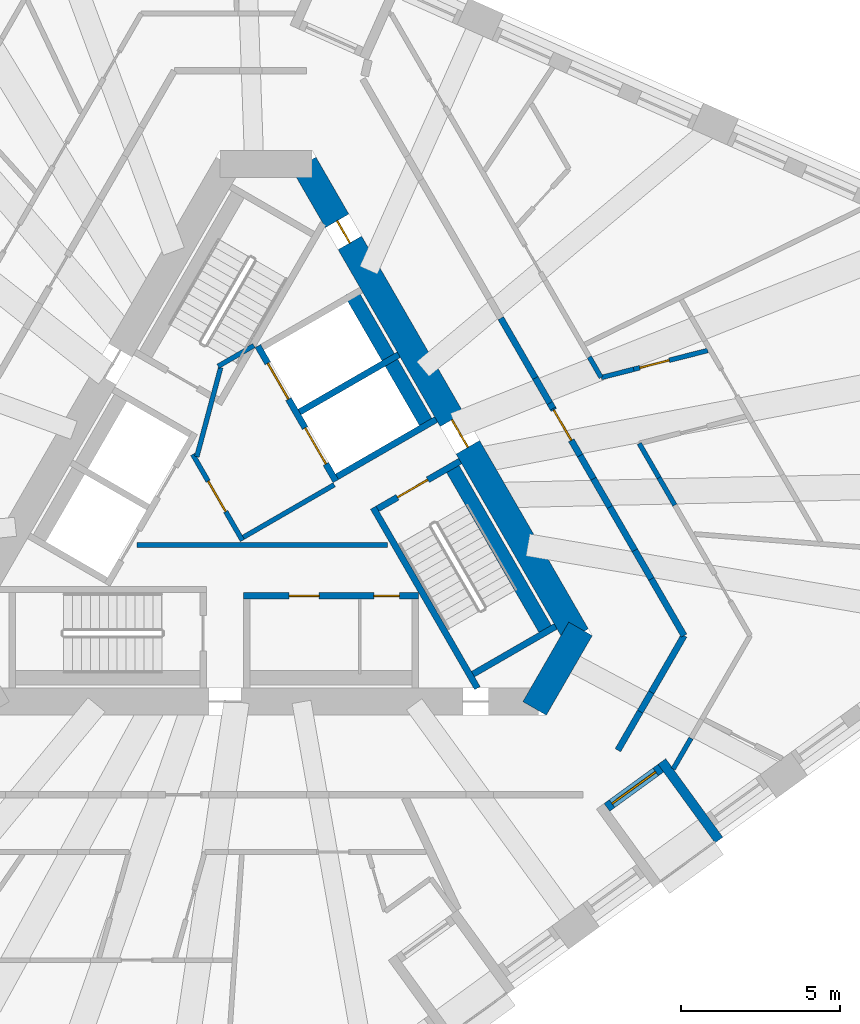
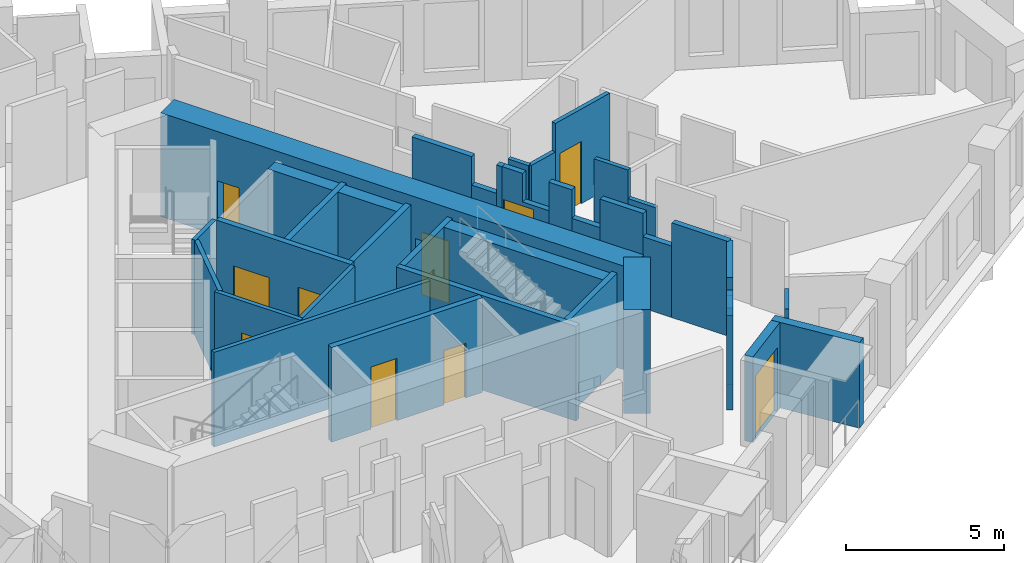
# One storey, part 5 of 14: 36 walls, 11 doors, 11 openings.
"""IFC4 building model written with IfcOpenShell, lengths in metres."""

from ifc_helpers import new_model, si_unit, direction, frame, frame_2d, origin, place, context, subcontext, project, spatial, polyline, rectangle, outline, extrude, material, layer, layer_set, type_object, element, fill, save


model = new_model("IFC4")

# Units and contexts
model_context = context("Model", 3, precision=1e-05, world=origin(), true_north=direction((0.0, 1.0)))
body_context = subcontext(model_context, "Body", "Model", "MODEL_VIEW")
ifc_project = project(units=[si_unit("LENGTHUNIT", "METRE"), si_unit("AREAUNIT", "SQUARE_METRE"), si_unit("VOLUMEUNIT", "CUBIC_METRE"), si_unit("PLANEANGLEUNIT", "RADIAN"), si_unit("MASSUNIT", "GRAM", prefix="KILO")], contexts=[model_context])

# Site, building, storey
site_placement = place(None, origin())
site = spatial("IfcSite", under=ifc_project, at=site_placement, CompositionType="ELEMENT")
building_placement = place(site_placement, origin())
building = spatial("IfcBuilding", under=site, at=building_placement, Name="Tramontana Tower", CompositionType="ELEMENT")
storey_placement = place(building_placement, frame((0.0, 0.0, 178.800048828125)))
storey = spatial("IfcBuildingStorey", under=building, at=storey_placement, Name="L41", CompositionType="ELEMENT", Elevation=178.800048828125)

# Wall
ifc_material_1 = material(Name="Concrete 70 MPa", Category="concrete")
ifc_layer_1 = layer(ifc_material_1, 0.85009765625)
ifc_layer_set_1 = layer_set([ifc_layer_1], Name="Core wall 850 70 MPa")
wall_type_1 = type_object("IfcWallType", Name="Core wall 850 70 MPa", PredefinedType="SHEAR", material=ifc_layer_set_1)
wall_1_placement = place(storey_placement, frame((8.4365234375, -6.53759765625, 0.0), z_axis=(0.0, 0.0, 1.0), x_axis=(0.499995765644, 0.866027848477, 0.0)))
element("IfcWall", 1, at=wall_1_placement, inside=storey, type_object=wall_type_1, Name="Core wall C4 L41", PredefinedType="SHEAR", context=body_context, shape_type="SweptSolid", body=[
    extrude(rectangle(XDim=2.88671875, YDim=0.85009765625, at=frame_2d((1.443359375, 0.0))), origin(), (0.0, 0.0, 1.0), 4.0),
])

# Wall, openings, doors
wall_2_placement = place(storey_placement, frame((9.757080078125, -4.25, 0.0), z_axis=(0.0, 0.0, 1.0), x_axis=(-0.499995289315, 0.866028123483, 0.0)))
wall_2 = element("IfcWall", 2, at=wall_2_placement, inside=storey, type_object=wall_type_1, Name="Core wall C5 L41", PredefinedType="SHEAR", context=body_context, shape_type="SweptSolid", body=[
    extrude(rectangle(XDim=17.118408203125, YDim=0.85009765625, at=frame_2d((8.55908203125, 0.0))), origin(), (0.0, 0.0, 1.0), 4.0),
])
opening_1_placement = place(wall_2_placement, frame((6.834228515625, 0.0, 0.0)))
opening_1 = element("IfcOpeningElement", 3, at=opening_1_placement, cuts=wall_2, Name="Opening RG3", PredefinedType="OPENING", context=body_context, shape_type="SweptSolid", body=[
    extrude(rectangle(XDim=1.0, YDim=2.39990234375, at=frame_2d((0.5, 1.199951171875))), frame((0.0, 0.43505859375, 0.0), z_axis=(0.0, -1.0, 0.0), x_axis=(1.0, 0.0, 0.0)), (0.0, 0.0, 1.0), 0.8701171875),
])
opening_2_placement = place(wall_2_placement, frame((14.251708984375, 0.0, 0.0)))
opening_2 = element("IfcOpeningElement", 4, at=opening_2_placement, cuts=wall_2, Name="Opening PD3", PredefinedType="OPENING", context=body_context, shape_type="SweptSolid", body=[
    extrude(rectangle(XDim=0.800048828125, YDim=2.10009765625, at=frame_2d((0.39990234375, 1.050048828125))), frame((0.0, 0.43505859375, 0.0), z_axis=(0.0, -1.0, 0.0), x_axis=(1.0, 0.0, 0.0)), (0.0, 0.0, 1.0), 0.8701171875),
])
ifc_material_2 = material(Name="Painted steel", Category="steel")
door_type_1 = type_object("IfcDoorType", Name="CUPBOARD DOOR 800", OperationType="SINGLE_SWING_LEFT", PredefinedType="DOOR", material=ifc_material_2)
door_1_placement = place(opening_2_placement, origin())
door_1 = element("IfcDoor", 5, at=door_1_placement, inside=storey, type_object=door_type_1, Name="Door PD3", OperationType="SINGLE_SWING_RIGHT", OverallHeight=2.10009765625, OverallWidth=0.800048828125, PredefinedType="DOOR", context=body_context, shape_type="SweptSolid", body=[
    extrude(rectangle(XDim=0.800048828125, YDim=2.10009765625, at=frame_2d((0.39990234375, 1.050048828125))), frame((0.0, 0.02490234375, 0.0), z_axis=(0.0, -1.0, 0.0), x_axis=(1.0, 0.0, 0.0)), (0.0, 0.0, 1.0), 0.050048828125),
])
fill(opening_2, door_1)
ifc_material_3 = material(Name="Painted steel", Category="steel")
door_type_2 = type_object("IfcDoorType", Name="RING DOOR 1000", OperationType="SINGLE_SWING_LEFT", PredefinedType="DOOR", material=ifc_material_3)
door_2_placement = place(opening_1_placement, origin())
door_2 = element("IfcDoor", 6, at=door_2_placement, inside=storey, type_object=door_type_2, Name="Door RG3", OperationType="SINGLE_SWING_RIGHT", OverallHeight=2.39990234375, OverallWidth=1.0, PredefinedType="DOOR", context=body_context, shape_type="SweptSolid", body=[
    extrude(rectangle(XDim=1.0, YDim=2.39990234375, at=frame_2d((0.5, 1.199951171875))), frame((0.0, 0.02490234375, 0.0), z_axis=(0.0, -1.0, 0.0), x_axis=(1.0, 0.0, 0.0)), (0.0, 0.0, 1.0), 0.050048828125),
])
fill(opening_1, door_2)

# Walls
ifc_material_4 = material(Name="Blockwork", Category="masonry")
ifc_layer_2 = layer(ifc_material_4, 0.199951171875)
ifc_layer_set_2 = layer_set([ifc_layer_2], Name="ENTRY WALL 200")
wall_type_2 = type_object("IfcWallType", Name="ENTRY WALL 200", PredefinedType="SOLIDWALL", material=ifc_layer_set_2)
wall_3_placement = place(storey_placement, frame((7.37548828125, 5.725341796875, 0.0), z_axis=(0.0, 0.0, 1.0), x_axis=(0.499975720793, -0.866039420937, 0.0)))
element("IfcWall", 7, at=wall_3_placement, inside=storey, type_object=wall_type_2, Name="Wall v41-ew0-4", PredefinedType="SOLIDWALL", context=body_context, shape_type="SweptSolid", body=[
    extrude(rectangle(XDim=2.16943359375, YDim=0.199951171875, at=frame_2d((1.084716796875, 0.0))), origin(), (0.0, 0.0, 1.0), 3.64990234375),
])
wall_4_placement = place(storey_placement, frame((8.460205078125, 3.846435546875, 0.0), z_axis=(0.0, 0.0, 1.0), x_axis=(0.499977996243, -0.866038107287, 0.0)))
element("IfcWall", 8, at=wall_4_placement, inside=storey, type_object=wall_type_2, Name="Wall v41-ew0-5", PredefinedType="SOLIDWALL", context=body_context, shape_type="SweptSolid", body=[
    extrude(rectangle(XDim=0.90966796875, YDim=0.199951171875, at=frame_2d((0.454833984375, 0.0))), origin(), (0.0, 0.0, 1.0), 2.550048828125),
])
wall_5_placement = place(storey_placement, frame((8.9150390625, 3.05859375, 0.0), z_axis=(0.0, 0.0, 1.0), x_axis=(0.500074377092, -0.865982457891, 0.0)))
element("IfcWall", 9, at=wall_5_placement, inside=storey, type_object=wall_type_2, Name="Wall v41-ew0-6", PredefinedType="SOLIDWALL", context=body_context, shape_type="SweptSolid", body=[
    extrude(rectangle(XDim=0.2001953125, YDim=0.199951171875, at=frame_2d((0.10009765625, 0.0))), origin(), (0.0, 0.0, 1.0), 3.64990234375),
])

# Wall, opening, door
wall_6_placement = place(storey_placement, frame((9.01513671875, 2.88525390625, 0.0), z_axis=(0.0, 0.0, 1.0), x_axis=(0.500036553983, -0.866004298304, 0.0)))
wall_6 = element("IfcWall", 10, at=wall_6_placement, inside=storey, type_object=wall_type_2, Name="Wall v41-ew0-7", PredefinedType="SOLIDWALL", context=body_context, shape_type="SweptSolid", body=[
    extrude(outline(polyline([(0.0, 0.0), (1.704345703125, 0.0), (1.7041015625, 2.550048828125), (0.750732421875, 2.550048828125), (0.750732421875, 3.64990234375), (0.0, 3.64990234375), (0.0, 0.0)])), frame((0.0, 0.10009765625, 0.0), z_axis=(0.0, -1.0, 0.0), x_axis=(1.0, 0.0, 0.0)), (0.0, 0.0, 1.0), 0.199951171875),
])
opening_3_placement = place(wall_6_placement, frame((0.050048828125, 0.0, 0.0)))
opening_3 = element("IfcOpeningElement", 11, at=opening_3_placement, cuts=wall_6, Name="Opening B4B-26", PredefinedType="OPENING", context=body_context, shape_type="SweptSolid", body=[
    extrude(rectangle(XDim=1.10009765625, YDim=2.39990234375, at=frame_2d((0.550048828125, 1.199951171875))), frame((0.0, 0.10986328125, 0.0), z_axis=(0.0, -1.0, 0.0), x_axis=(1.0, 0.0, 0.0)), (0.0, 0.0, 1.0), 0.219970703125),
])
ifc_material_5 = material(Name="Painted timber", Category="wood")
door_type_3 = type_object("IfcDoorType", Name="DOOR ENTRY 1100", OperationType="SINGLE_SWING_LEFT", PredefinedType="DOOR", material=ifc_material_5)
door_3_placement = place(opening_3_placement, origin())
door_3 = element("IfcDoor", 12, at=door_3_placement, inside=storey, type_object=door_type_3, Name="Door B4B-26", OperationType="SINGLE_SWING_RIGHT", OverallHeight=2.39990234375, OverallWidth=1.10009765625, PredefinedType="DOOR", context=body_context, shape_type="SweptSolid", body=[
    extrude(rectangle(XDim=1.10009765625, YDim=2.39990234375, at=frame_2d((0.550048828125, 1.199951171875))), frame((0.0, 0.02490234375, 0.0), z_axis=(0.0, -1.0, 0.0), x_axis=(1.0, 0.0, 0.0)), (0.0, 0.0, 1.0), 0.050048828125),
])
fill(opening_3, door_3)

# Walls
wall_7_placement = place(storey_placement, frame((9.867431640625, 1.4091796875, 0.0), z_axis=(0.0, 0.0, 1.0), x_axis=(0.499822960955, -0.8661275932, 0.0)))
element("IfcWall", 13, at=wall_7_placement, inside=storey, type_object=wall_type_2, Name="Wall v41-ew0-8", PredefinedType="SOLIDWALL", context=body_context, shape_type="SweptSolid", body=[
    extrude(rectangle(XDim=0.841064453125, YDim=0.199951171875, at=frame_2d((0.42041015625, 0.0))), origin(), (0.0, 0.0, 1.0), 3.64990234375),
])
wall_8_placement = place(storey_placement, frame((10.287841796875, 0.6806640625, 0.0), z_axis=(0.0, 0.0, 1.0), x_axis=(0.500079402778, -0.865979555715, 0.0)))
element("IfcWall", 14, at=wall_8_placement, inside=storey, type_object=wall_type_2, Name="Wall v41-ew0-9", PredefinedType="SOLIDWALL", context=body_context, shape_type="SweptSolid", body=[
    extrude(rectangle(XDim=1.026123046875, YDim=0.199951171875, at=frame_2d((0.51318359375, 0.0))), origin(), (0.0, 0.0, 1.0), 2.550048828125),
])
wall_9_placement = place(storey_placement, frame((10.801025390625, -0.2080078125, 0.0), z_axis=(0.0, 0.0, 1.0), x_axis=(0.500031717574, -0.86600709086, 0.0)))
element("IfcWall", 15, at=wall_9_placement, inside=storey, type_object=wall_type_2, Name="Wall v41-ew0-10", PredefinedType="SOLIDWALL", context=body_context, shape_type="SweptSolid", body=[
    extrude(rectangle(XDim=1.57177734375, YDim=0.199951171875, at=frame_2d((0.785888671875, 0.0))), origin(), (0.0, 0.0, 1.0), 3.64990234375),
])
wall_10_placement = place(storey_placement, frame((11.5869140625, -1.569091796875, 0.0), z_axis=(0.0, 0.0, 1.0), x_axis=(0.500054530113, -0.86599391852, 0.0)))
element("IfcWall", 16, at=wall_10_placement, inside=storey, type_object=wall_type_2, Name="Wall v41-ew0-11", PredefinedType="SOLIDWALL", context=body_context, shape_type="SweptSolid", body=[
    extrude(rectangle(XDim=1.03955078125, YDim=0.199951171875, at=frame_2d((0.519775390625, 0.0))), origin(), (0.0, 0.0, 1.0), 2.75),
])
wall_11_placement = place(storey_placement, frame((12.106689453125, -2.46923828125, 0.0), z_axis=(0.0, 0.0, 1.0), x_axis=(0.499982825521, -0.866035319247, 0.0)))
element("IfcWall", 17, at=wall_11_placement, inside=storey, type_object=wall_type_2, Name="Wall v41-ew0-12", PredefinedType="SOLIDWALL", context=body_context, shape_type="SweptSolid", body=[
    extrude(rectangle(XDim=2.05615234375, YDim=0.199951171875, at=frame_2d((1.028076171875, 0.0))), origin(), (0.0, 0.0, 1.0), 3.64990234375),
])
wall_12_placement = place(storey_placement, frame((13.134765625, -4.25, 0.0), z_axis=(0.0, 0.0, 1.0), x_axis=(-0.500030520673, -0.866007781949, 0.0)))
element("IfcWall", 18, at=wall_12_placement, inside=storey, type_object=wall_type_2, Name="Wall v41-ew1-0", PredefinedType="SOLIDWALL", context=body_context, shape_type="SweptSolid", body=[
    extrude(rectangle(XDim=2.057861328125, YDim=0.199951171875, at=frame_2d((1.02880859375, 0.0))), origin(), (0.0, 0.0, 1.0), 3.64990234375),
])
wall_13_placement = place(storey_placement, frame((12.105712890625, -6.0322265625, 0.0), z_axis=(0.0, 0.0, 1.0), x_axis=(-0.49996389635, -0.866046247233, 0.0)))
element("IfcWall", 19, at=wall_13_placement, inside=storey, type_object=wall_type_2, Name="Wall v41-ew1-1", PredefinedType="SOLIDWALL", context=body_context, shape_type="SweptSolid", body=[
    extrude(rectangle(XDim=0.7001953125, YDim=0.199951171875, at=frame_2d((0.35009765625, 0.0))), origin(), (0.0, 0.0, 1.0), 2.949951171875),
])
wall_14_placement = place(storey_placement, frame((11.755615234375, -6.638671875, 0.0), z_axis=(0.0, 0.0, 1.0), x_axis=(-0.49998411664, -0.866034573852, 0.0)))
element("IfcWall", 20, at=wall_14_placement, inside=storey, type_object=wall_type_2, Name="Wall v41-ew1-2", PredefinedType="SOLIDWALL", context=body_context, shape_type="SweptSolid", body=[
    extrude(rectangle(XDim=1.39990234375, YDim=0.199951171875, at=frame_2d((0.699951171875, 0.0))), origin(), (0.0, 0.0, 1.0), 3.64990234375),
])

# Wall, opening, door
ifc_material_6 = material(Name="Precast concrete 60 MPa", Category="concrete")
ifc_layer_3 = layer(ifc_material_6, 0.300048828125)
ifc_layer_set_3 = layer_set([ifc_layer_3], Name="LW1 Stone-faced loggia wall 300")
wall_type_3 = type_object("IfcWallType", Name="LW1 Stone-faced loggia wall 300", PredefinedType="SOLIDWALL", material=ifc_layer_set_3)
wall_15_placement = place(storey_placement, frame((10.710205078125, -9.647216796875, 0.0), z_axis=(0.0, 0.0, 1.0), x_axis=(0.808972932648, 0.587845893277, 0.0)))
wall_15 = element("IfcWall", 21, at=wall_15_placement, inside=storey, type_object=wall_type_3, Name="Loggia wall L41 G4S1.10", PredefinedType="SOLIDWALL", context=body_context, shape_type="SweptSolid", body=[
    extrude(rectangle(XDim=2.094482421875, YDim=0.300048828125, at=frame_2d((1.04736328125, 0.0))), origin(), (0.0, 0.0, 1.0), 3.300048828125),
])
opening_4_placement = place(wall_15_placement, frame((0.197265625, 0.0, 0.0)))
opening_4 = element("IfcOpeningElement", 22, at=opening_4_placement, cuts=wall_15, Name="Opening BD-4S1-10", PredefinedType="OPENING", context=body_context, shape_type="SweptSolid", body=[
    extrude(rectangle(XDim=1.699951171875, YDim=2.449951171875, at=frame_2d((0.85009765625, 1.22509765625))), frame((0.0, 0.159912109375, 0.0), z_axis=(0.0, -1.0, 0.0), x_axis=(1.0, 0.0, 0.0)), (0.0, 0.0, 1.0), 0.320068359375),
])
ifc_material_7 = material(Name="Aluminum frame, double glazing unit", Category="aluminium")
door_type_4 = type_object("IfcDoorType", Name="BD2 Sliding door 1.7 x 2.45", OperationType="SLIDING_TO_LEFT", PredefinedType="DOOR", material=ifc_material_7)
door_4_placement = place(opening_4_placement, origin())
door_4 = element("IfcDoor", 23, at=door_4_placement, inside=storey, type_object=door_type_4, Name="Loggia door L41 G4S1.10", OperationType="SLIDING_TO_LEFT", OverallHeight=2.449951171875, OverallWidth=1.699951171875, PredefinedType="DOOR", context=body_context, shape_type="SweptSolid", body=[
    extrude(rectangle(XDim=1.699951171875, YDim=2.449951171875, at=frame_2d((0.85009765625, 1.22509765625))), frame((0.0, 0.02490234375, 0.0), z_axis=(0.0, -1.0, 0.0), x_axis=(1.0, 0.0, 0.0)), (0.0, 0.0, 1.0), 0.050048828125),
])
fill(opening_4, door_4)

# Wall
wall_16_placement = place(storey_placement, frame((14.23046875, -10.674072265625, 0.0), z_axis=(0.0, 0.0, 1.0), x_axis=(-0.587776590479, 0.80902328748, 0.0)))
element("IfcWall", 24, at=wall_16_placement, inside=storey, type_object=wall_type_3, Name="Loggia return L41 G4S1.10b", PredefinedType="SOLIDWALL", context=body_context, shape_type="SweptSolid", body=[
    extrude(rectangle(XDim=3.050048828125, YDim=0.300048828125, at=frame_2d((1.52490234375, 0.0))), origin(), (0.0, 0.0, 1.0), 3.300048828125),
])

# Wall, opening, door
ifc_material_8 = material(Name="Gypsum board partition")
ifc_layer_4 = layer(ifc_material_8, 0.14990234375)
ifc_layer_set_4 = layer_set([ifc_layer_4], Name="PARTITION 150")
wall_type_4 = type_object("IfcWallType", Name="PARTITION 150", PredefinedType="PARTITIONING", material=ifc_layer_set_4)
wall_17_placement = place(storey_placement, frame((-0.744140625, -1.260986328125, 0.0), z_axis=(0.0, 0.0, 1.0), x_axis=(-0.500004234368, 0.866022959057, 0.0)))
wall_17 = element("IfcWall", 25, at=wall_17_placement, inside=storey, type_object=wall_type_4, Name="Wall ff-front", PredefinedType="PARTITIONING", context=body_context, shape_type="SweptSolid", body=[
    extrude(rectangle(XDim=3.125, YDim=0.14990234375, at=frame_2d((1.5625, 0.0))), origin(), (0.0, 0.0, 1.0), 3.64990234375),
])
opening_5_placement = place(wall_17_placement, frame((1.050048828125, 0.0, 0.0)))
opening_5 = element("IfcOpeningElement", 26, at=opening_5_placement, cuts=wall_17, Name="Opening FD1", PredefinedType="OPENING", context=body_context, shape_type="SweptSolid", body=[
    extrude(rectangle(XDim=1.10009765625, YDim=2.39990234375, at=frame_2d((0.550048828125, 1.199951171875))), frame((0.0, 0.0849609375, 0.0), z_axis=(0.0, -1.0, 0.0), x_axis=(1.0, 0.0, 0.0)), (0.0, 0.0, 1.0), 0.169921875),
])
door_5_placement = place(opening_5_placement, origin())
door_5 = element("IfcDoor", 27, at=door_5_placement, inside=storey, type_object=door_type_3, Name="Door FD1", OperationType="SINGLE_SWING_LEFT", OverallHeight=2.39990234375, OverallWidth=1.10009765625, PredefinedType="DOOR", context=body_context, shape_type="SweptSolid", body=[
    extrude(rectangle(XDim=1.10009765625, YDim=2.39990234375, at=frame_2d((0.550048828125, 1.199951171875))), frame((0.0, 0.02490234375, 0.0), z_axis=(0.0, -1.0, 0.0), x_axis=(1.0, 0.0, 0.0)), (0.0, 0.0, 1.0), 0.050048828125),
])
fill(opening_5, door_5)

# Walls
wall_18_placement = place(storey_placement, frame((-0.716796875, -1.15869140625, 0.0), z_axis=(0.0, 0.0, 1.0), x_axis=(0.866008176907, 0.50002983664, 0.0)))
element("IfcWall", 28, at=wall_18_placement, inside=storey, type_object=wall_type_4, Name="Wall ff-end0", PredefinedType="PARTITIONING", context=body_context, shape_type="SweptSolid", body=[
    extrude(rectangle(XDim=3.300048828125, YDim=0.14990234375, at=frame_2d((1.64990234375, 0.0))), origin(), (0.0, 0.0, 1.0), 3.64990234375),
])
wall_19_placement = place(storey_placement, frame((-2.177978515625, 1.372314453125, 0.0), z_axis=(0.0, 0.0, 1.0), x_axis=(0.258808958833, 0.96592852884, 0.0)))
element("IfcWall", 29, at=wall_19_placement, inside=storey, type_object=wall_type_4, Name="Wall ff-diag", PredefinedType="PARTITIONING", context=body_context, shape_type="SweptSolid", body=[
    extrude(rectangle(XDim=2.902587890625, YDim=0.14990234375, at=frame_2d((1.451171875, 0.0))), origin(), (0.0, 0.0, 1.0), 3.64990234375),
])
wall_20_placement = place(storey_placement, frame((-1.509765625, 4.21484375, 0.0), z_axis=(0.0, 0.0, 1.0), x_axis=(0.866085525409, 0.49989585183, 0.0)))
element("IfcWall", 30, at=wall_20_placement, inside=storey, type_object=wall_type_4, Name="Wall ff-end1", PredefinedType="PARTITIONING", context=body_context, shape_type="SweptSolid", body=[
    extrude(rectangle(XDim=1.300048828125, YDim=0.14990234375, at=frame_2d((0.64990234375, 0.0))), origin(), (0.0, 0.0, 1.0), 3.64990234375),
])
wall_21_placement = place(storey_placement, frame((-4.053466796875, -1.39990234375, 0.0), z_axis=(0.0, 0.0, 1.0), x_axis=(1.0, 0.0, 0.0)))
element("IfcWall", 31, at=wall_21_placement, inside=storey, type_object=wall_type_4, Name="Wall hub-cut1", PredefinedType="PARTITIONING", context=body_context, shape_type="SweptSolid", body=[
    extrude(rectangle(XDim=7.8759765625, YDim=0.14990234375, at=frame_2d((3.93798828125, 0.0))), origin(), (0.0, 0.0, 1.0), 3.64990234375),
])
wall_22_placement = place(storey_placement, frame((10.1572265625, 4.50732421875, 0.0), z_axis=(0.0, 0.0, 1.0), x_axis=(0.499807625453, -0.866136442796, 0.0)))
element("IfcWall", 32, at=wall_22_placement, inside=storey, type_object=wall_type_4, Name="Wall v41-pw33-5", PredefinedType="PARTITIONING", context=body_context, shape_type="SweptSolid", body=[
    extrude(rectangle(XDim=0.744384765625, YDim=0.14990234375, at=frame_2d((0.3720703125, 0.0))), origin(), (0.0, 0.0, 1.0), 2.550048828125),
])
wall_23_placement = place(storey_placement, frame((10.53271484375, 3.861083984375, 0.0), z_axis=(0.0, 0.0, 1.0), x_axis=(0.969221102538, 0.246191905624, 0.0)))
element("IfcWall", 33, at=wall_23_placement, inside=storey, type_object=wall_type_4, Name="Wall v41-pw42-0", PredefinedType="PARTITIONING", context=body_context, shape_type="SweptSolid", body=[
    extrude(rectangle(XDim=1.05224609375, YDim=0.14990234375, at=frame_2d((0.526123046875, 0.0))), origin(), (0.0, 0.0, 1.0), 2.550048828125),
])

# Wall, opening, door
wall_24_placement = place(storey_placement, frame((11.552490234375, 4.1201171875, 0.0), z_axis=(0.0, 0.0, 1.0), x_axis=(0.969232309968, 0.246147779423, 0.0)))
wall_24 = element("IfcWall", 34, at=wall_24_placement, inside=storey, type_object=wall_type_4, Name="Wall v41-pw42-1", PredefinedType="PARTITIONING", context=body_context, shape_type="SweptSolid", body=[
    extrude(rectangle(XDim=2.400146484375, YDim=0.14990234375, at=frame_2d((1.2001953125, 0.0))), origin(), (0.0, 0.0, 1.0), 3.64990234375),
])
opening_6_placement = place(wall_24_placement, frame((0.19921875, 0.0, 0.0)))
opening_6 = element("IfcOpeningElement", 35, at=opening_6_placement, cuts=wall_24, Name="Opening B4B-15", PredefinedType="OPENING", context=body_context, shape_type="SweptSolid", body=[
    extrude(rectangle(XDim=0.949951171875, YDim=2.39990234375, at=frame_2d((0.47509765625, 1.199951171875))), frame((0.0, 0.0849609375, 0.0), z_axis=(0.0, -1.0, 0.0), x_axis=(1.0, 0.0, 0.0)), (0.0, 0.0, 1.0), 0.169921875),
])
ifc_material_9 = material(Name="Painted timber", Category="wood")
door_type_5 = type_object("IfcDoorType", Name="DOOR ROOM 950", OperationType="SINGLE_SWING_LEFT", PredefinedType="DOOR", material=ifc_material_9)
door_6_placement = place(opening_6_placement, origin())
door_6 = element("IfcDoor", 36, at=door_6_placement, inside=storey, type_object=door_type_5, Name="Door B4B-15", OperationType="SINGLE_SWING_LEFT", OverallHeight=2.39990234375, OverallWidth=0.949951171875, PredefinedType="DOOR", context=body_context, shape_type="SweptSolid", body=[
    extrude(rectangle(XDim=0.949951171875, YDim=2.39990234375, at=frame_2d((0.47509765625, 1.199951171875))), frame((0.0, 0.02490234375, 0.0), z_axis=(0.0, -1.0, 0.0), x_axis=(1.0, 0.0, 0.0)), (0.0, 0.0, 1.0), 0.050048828125),
])
fill(opening_6, door_6)

# Walls
wall_25_placement = place(storey_placement, frame((11.727294921875, 1.78759765625, 0.0), z_axis=(0.0, 0.0, 1.0), x_axis=(0.499995303914, -0.866028115054, 0.0)))
element("IfcWall", 37, at=wall_25_placement, inside=storey, type_object=wall_type_4, Name="Wall v41-pw43-0", PredefinedType="PARTITIONING", context=body_context, shape_type="SweptSolid", body=[
    extrude(rectangle(XDim=1.2392578125, YDim=0.14990234375, at=frame_2d((0.61962890625, 0.0))), origin(), (0.0, 0.0, 1.0), 3.64990234375),
])
wall_26_placement = place(storey_placement, frame((12.346923828125, 0.71435546875, 0.0), z_axis=(0.0, 0.0, 1.0), x_axis=(0.499955472713, -0.866051110099, 0.0)))
element("IfcWall", 38, at=wall_26_placement, inside=storey, type_object=wall_type_4, Name="Wall v41-pw43-1", PredefinedType="PARTITIONING", context=body_context, shape_type="SweptSolid", body=[
    extrude(rectangle(XDim=0.99755859375, YDim=0.14990234375, at=frame_2d((0.498779296875, 0.0))), origin(), (0.0, 0.0, 1.0), 2.550048828125),
])
wall_27_placement = place(storey_placement, frame((13.3525390625, -7.47265625, 0.0), z_axis=(0.0, 0.0, 1.0), x_axis=(-0.500037474894, -0.866003766563, 0.0)))
element("IfcWall", 39, at=wall_27_placement, inside=storey, type_object=wall_type_4, Name="Wall v41-pw47-2", PredefinedType="PARTITIONING", context=body_context, shape_type="SweptSolid", body=[
    extrude(rectangle(XDim=1.1181640625, YDim=0.14990234375, at=frame_2d((0.55908203125, 0.0))), origin(), (0.0, 0.0, 1.0), 3.64990234375),
])
ifc_material_10 = material(Name="Concrete 70 MPa", Category="concrete")
ifc_layer_5 = layer(ifc_material_10, 0.449951171875)
ifc_layer_set_5 = layer_set([ifc_layer_5], Name="Concrete 70 MPa, 450 mm")
wall_type_5 = type_object("IfcWallType", Name="RC SHAFT BACK WALL 450", PredefinedType="SOLIDWALL", material=ifc_layer_set_5)
wall_28_placement = place(storey_placement, frame((8.8681640625, -4.2099609375, 0.0), z_axis=(0.0, 0.0, 1.0), x_axis=(-0.500009909098, 0.866019682689, 0.0)))
element("IfcWall", 40, at=wall_28_placement, inside=storey, type_object=wall_type_5, Name="Wall st3-back", PredefinedType="SOLIDWALL", context=body_context, shape_type="SweptSolid", body=[
    extrude(rectangle(XDim=6.199951171875, YDim=0.449951171875, at=frame_2d((3.10009765625, 0.0))), origin(), (0.0, 0.0, 1.0), 3.64990234375),
])
wall_29_placement = place(storey_placement, frame((5.113037109375, 2.2939453125, 0.0), z_axis=(0.0, 0.0, 1.0), x_axis=(-0.500002801628, 0.866023786258, 0.0)))
element("IfcWall", 41, at=wall_29_placement, inside=storey, type_object=wall_type_5, Name="Wall row2-back", PredefinedType="SOLIDWALL", context=body_context, shape_type="SweptSolid", body=[
    extrude(rectangle(XDim=4.89990234375, YDim=0.449951171875, at=frame_2d((2.449951171875, 0.0))), origin(), (0.0, 0.0, 1.0), 3.64990234375),
])
ifc_material_11 = material(Name="Concrete 70 MPa", Category="concrete")
ifc_layer_6 = layer(ifc_material_11, 0.199951171875)
ifc_layer_set_6 = layer_set([ifc_layer_6], Name="Concrete 70 MPa, 200 mm")
wall_type_6 = type_object("IfcWallType", Name="RC STAIR AND SHAFT WALL 200", PredefinedType="SOLIDWALL", material=ifc_layer_set_6)
wall_30_placement = place(storey_placement, frame((6.6396484375, -5.89990234375, 0.0), z_axis=(0.0, 0.0, 1.0), x_axis=(-0.499999959354, 0.866025427251, 0.0)))
element("IfcWall", 42, at=wall_30_placement, inside=storey, type_object=wall_type_6, Name="Wall st3-front", PredefinedType="SOLIDWALL", context=body_context, shape_type="SweptSolid", body=[
    extrude(rectangle(XDim=6.54931640625, YDim=0.199951171875, at=frame_2d((3.274658203125, 0.0))), origin(), (0.0, 0.0, 1.0), 3.64990234375),
])
wall_31_placement = place(storey_placement, frame((6.50146484375, -5.4609375, 0.0), z_axis=(0.0, 0.0, 1.0), x_axis=(0.866031096941, 0.499990139034, 0.0)))
element("IfcWall", 43, at=wall_31_placement, inside=storey, type_object=wall_type_6, Name="Wall st3-far", PredefinedType="SOLIDWALL", context=body_context, shape_type="SweptSolid", body=[
    extrude(rectangle(XDim=3.0, YDim=0.199951171875, at=frame_2d((1.5, 0.0))), origin(), (0.0, 0.0, 1.0), 3.64990234375),
])

# Wall, opening, door
wall_32_placement = place(storey_placement, frame((3.50146484375, -0.2646484375, 0.0), z_axis=(0.0, 0.0, 1.0), x_axis=(0.866031096941, 0.499990139034, 0.0)))
wall_32 = element("IfcWall", 44, at=wall_32_placement, inside=storey, type_object=wall_type_6, Name="Wall st3-near", PredefinedType="SOLIDWALL", context=body_context, shape_type="SweptSolid", body=[
    extrude(rectangle(XDim=3.0, YDim=0.199951171875, at=frame_2d((1.5, 0.0))), origin(), (0.0, 0.0, 1.0), 3.64990234375),
])
opening_7_placement = place(wall_32_placement, frame((0.72509765625, 0.0, 0.0)))
opening_7 = element("IfcOpeningElement", 45, at=opening_7_placement, cuts=wall_32, Name="Opening SD3", PredefinedType="OPENING", context=body_context, shape_type="SweptSolid", body=[
    extrude(rectangle(XDim=1.10009765625, YDim=2.39990234375, at=frame_2d((0.550048828125, 1.199951171875))), frame((0.0, 0.10986328125, 0.0), z_axis=(0.0, -1.0, 0.0), x_axis=(1.0, 0.0, 0.0)), (0.0, 0.0, 1.0), 0.219970703125),
])
ifc_material_12 = material(Name="Painted steel", Category="steel")
door_type_6 = type_object("IfcDoorType", Name="STAIR DOOR 1100", OperationType="SINGLE_SWING_LEFT", PredefinedType="DOOR", material=ifc_material_12)
door_7_placement = place(opening_7_placement, origin())
door_7 = element("IfcDoor", 46, at=door_7_placement, inside=storey, type_object=door_type_6, Name="Door SD3", OperationType="SINGLE_SWING_RIGHT", OverallHeight=2.39990234375, OverallWidth=1.10009765625, PredefinedType="DOOR", context=body_context, shape_type="SweptSolid", body=[
    extrude(rectangle(XDim=1.10009765625, YDim=2.39990234375, at=frame_2d((0.550048828125, 1.199951171875))), frame((0.0, 0.02490234375, 0.0), z_axis=(0.0, -1.0, 0.0), x_axis=(1.0, 0.0, 0.0)), (0.0, 0.0, 1.0), 0.050048828125),
])
fill(opening_7, door_7)

# Wall, openings, doors
wall_33_placement = place(storey_placement, frame((4.7900390625, -3.0, 0.0), z_axis=(0.0, 0.0, 1.0), x_axis=(-1.0, 0.0, 0.0)))
wall_33 = element("IfcWall", 47, at=wall_33_placement, inside=storey, type_object=wall_type_6, Name="Wall row1-front", PredefinedType="SOLIDWALL", context=body_context, shape_type="SweptSolid", body=[
    extrude(rectangle(XDim=5.5, YDim=0.199951171875, at=frame_2d((2.75, 0.0))), origin(), (0.0, 0.0, 1.0), 3.64990234375),
])
opening_8_placement = place(wall_33_placement, frame((3.1201171875, 0.0, 0.0)))
opening_8 = element("IfcOpeningElement", 48, at=opening_8_placement, cuts=wall_33, Name="Opening RD-1A", PredefinedType="OPENING", context=body_context, shape_type="SweptSolid", body=[
    extrude(rectangle(XDim=0.949951171875, YDim=2.39990234375, at=frame_2d((0.47509765625, 1.199951171875))), frame((0.0, 0.10986328125, 0.0), z_axis=(0.0, -1.0, 0.0), x_axis=(1.0, 0.0, 0.0)), (0.0, 0.0, 1.0), 0.219970703125),
])
opening_9_placement = place(wall_33_placement, frame((0.60498046875, 0.0, 0.0)))
opening_9 = element("IfcOpeningElement", 49, at=opening_9_placement, cuts=wall_33, Name="Opening RD-1B", PredefinedType="OPENING", context=body_context, shape_type="SweptSolid", body=[
    extrude(rectangle(XDim=0.800048828125, YDim=2.10009765625, at=frame_2d((0.39990234375, 1.050048828125))), frame((0.0, 0.10986328125, 0.0), z_axis=(0.0, -1.0, 0.0), x_axis=(1.0, 0.0, 0.0)), (0.0, 0.0, 1.0), 0.219970703125),
])
door_8_placement = place(opening_9_placement, origin())
door_8 = element("IfcDoor", 50, at=door_8_placement, inside=storey, type_object=door_type_1, Name="Door RD-1B", OperationType="SINGLE_SWING_RIGHT", OverallHeight=2.10009765625, OverallWidth=0.800048828125, PredefinedType="DOOR", context=body_context, shape_type="SweptSolid", body=[
    extrude(rectangle(XDim=0.800048828125, YDim=2.10009765625, at=frame_2d((0.39990234375, 1.050048828125))), frame((0.0, 0.02490234375, 0.0), z_axis=(0.0, -1.0, 0.0), x_axis=(1.0, 0.0, 0.0)), (0.0, 0.0, 1.0), 0.050048828125),
])
fill(opening_9, door_8)
door_9_placement = place(opening_8_placement, origin())
door_9 = element("IfcDoor", 51, at=door_9_placement, inside=storey, type_object=door_type_5, Name="Door RD-1A", OperationType="SINGLE_SWING_LEFT", OverallHeight=2.39990234375, OverallWidth=0.949951171875, PredefinedType="DOOR", context=body_context, shape_type="SweptSolid", body=[
    extrude(rectangle(XDim=0.949951171875, YDim=2.39990234375, at=frame_2d((0.47509765625, 1.199951171875))), frame((0.0, 0.02490234375, 0.0), z_axis=(0.0, -1.0, 0.0), x_axis=(1.0, 0.0, 0.0)), (0.0, 0.0, 1.0), 0.050048828125),
])
fill(opening_8, door_9)

wall_34_placement = place(storey_placement, frame((2.190185546875, 0.6064453125, 0.0), z_axis=(0.0, 0.0, 1.0), x_axis=(-0.500002801628, 0.866023786258, 0.0)))
wall_34 = element("IfcWall", 52, at=wall_34_placement, inside=storey, type_object=wall_type_6, Name="Wall row2-front", PredefinedType="SOLIDWALL", context=body_context, shape_type="SweptSolid", body=[
    extrude(rectangle(XDim=4.89990234375, YDim=0.199951171875, at=frame_2d((2.449951171875, 0.0))), origin(), (0.0, 0.0, 1.0), 3.64990234375),
])
opening_10_placement = place(wall_34_placement, frame((0.625, 0.0, 0.0)))
opening_10 = element("IfcOpeningElement", 53, at=opening_10_placement, cuts=wall_34, Name="Opening LD-F1", PredefinedType="OPENING", context=body_context, shape_type="SweptSolid", body=[
    extrude(rectangle(XDim=1.300048828125, YDim=2.10009765625, at=frame_2d((0.64990234375, 1.050048828125))), frame((0.0, 0.10986328125, 0.0), z_axis=(0.0, -1.0, 0.0), x_axis=(1.0, 0.0, 0.0)), (0.0, 0.0, 1.0), 0.219970703125),
])
opening_11_placement = place(wall_34_placement, frame((2.97509765625, 0.0, 0.0)))
opening_11 = element("IfcOpeningElement", 54, at=opening_11_placement, cuts=wall_34, Name="Opening LD-F2", PredefinedType="OPENING", context=body_context, shape_type="SweptSolid", body=[
    extrude(rectangle(XDim=1.300048828125, YDim=2.10009765625, at=frame_2d((0.64990234375, 1.050048828125))), frame((0.0, 0.10986328125, 0.0), z_axis=(0.0, -1.0, 0.0), x_axis=(1.0, 0.0, 0.0)), (0.0, 0.0, 1.0), 0.219970703125),
])
ifc_material_13 = material(Name="Brushed steel", Category="steel")
door_type_7 = type_object("IfcDoorType", Name="LANDING DOOR 1300", OperationType="SINGLE_SWING_LEFT", PredefinedType="DOOR", material=ifc_material_13)
door_10_placement = place(opening_10_placement, origin())
door_10 = element("IfcDoor", 55, at=door_10_placement, inside=storey, type_object=door_type_7, Name="Door LD-F1", OperationType="SLIDING_TO_LEFT", OverallHeight=2.10009765625, OverallWidth=1.300048828125, PredefinedType="DOOR", context=body_context, shape_type="SweptSolid", body=[
    extrude(rectangle(XDim=1.300048828125, YDim=2.10009765625, at=frame_2d((0.64990234375, 1.050048828125))), frame((0.0, 0.02490234375, 0.0), z_axis=(0.0, -1.0, 0.0), x_axis=(1.0, 0.0, 0.0)), (0.0, 0.0, 1.0), 0.050048828125),
])
fill(opening_10, door_10)
door_11_placement = place(opening_11_placement, origin())
door_11 = element("IfcDoor", 56, at=door_11_placement, inside=storey, type_object=door_type_7, Name="Door LD-F2", OperationType="SLIDING_TO_RIGHT", OverallHeight=2.10009765625, OverallWidth=1.300048828125, PredefinedType="DOOR", context=body_context, shape_type="SweptSolid", body=[
    extrude(rectangle(XDim=1.300048828125, YDim=2.10009765625, at=frame_2d((0.64990234375, 1.050048828125))), frame((0.0, 0.02490234375, 0.0), z_axis=(0.0, -1.0, 0.0), x_axis=(1.0, 0.0, 0.0)), (0.0, 0.0, 1.0), 0.050048828125),
])
fill(opening_11, door_11)

# Walls
for number, where, z_axis, x_axis, name in (
    (57, (2.226806640625, 0.742919921875, 0.0), (0.0, 0.0, 1.0), (0.866018442252, 0.500012057535, 0.0), "Wall row2-side0"),
    (58, (1.0517578125, 2.778076171875, 0.0), (0.0, 0.0, 1.0), (0.866018442252, 0.500012057535, 0.0), "Wall row2-side1"),
):
    element("IfcWall", number, at=place(storey_placement, frame(where, z_axis=z_axis, x_axis=x_axis)), inside=storey, type_object=wall_type_6, Name=name, PredefinedType="SOLIDWALL", context=body_context, shape_type="SweptSolid", body=[
        extrude(rectangle(XDim=3.60009765625, YDim=0.199951171875, at=frame_2d((1.800048828125, 0.0))), origin(), (0.0, 0.0, 1.0), 3.64990234375),
    ])

save(model, "model.ifc")
